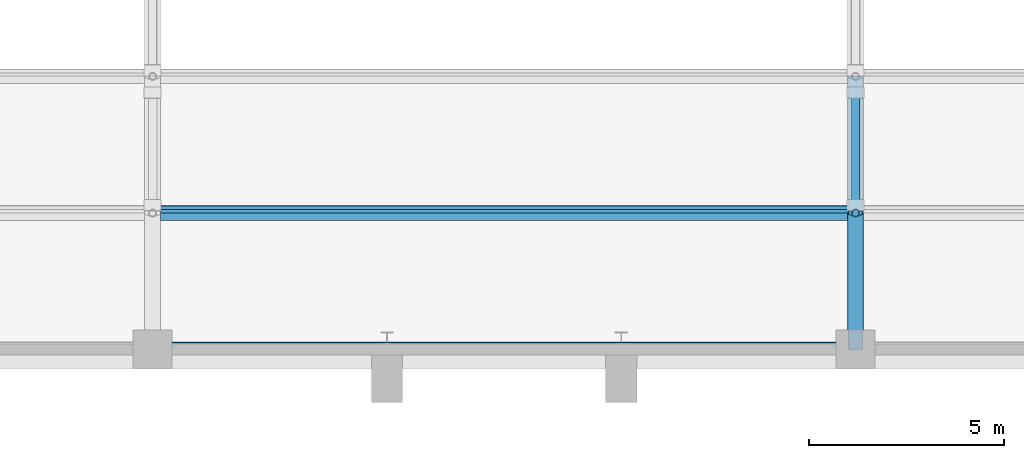
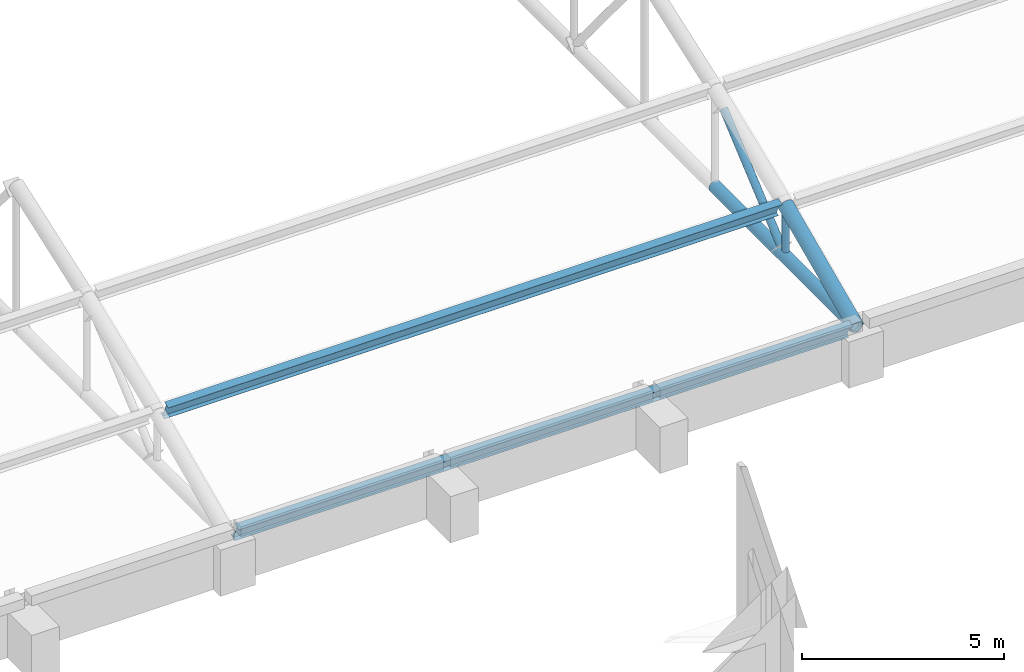
# One storey, part 33 of 196: 6 members.
"""IFC4 building model written with IfcOpenShell, lengths in metres."""

from ifc_helpers import new_model, si_unit, direction, frame, origin, origin_2d, place, context, subcontext, project, spatial, hollow_circle, i_section, extrude, material, material_profile, profile_set, type_object, element, save


model = new_model("IFC4")

# Units and contexts
model_context = context("Model", 3, precision=1e-05, world=origin(), true_north=direction((0.0, 1.0)))
body_context = subcontext(model_context, "Body", "Model", "MODEL_VIEW")
ifc_project = project(units=[si_unit("LENGTHUNIT", "METRE"), si_unit("AREAUNIT", "SQUARE_METRE"), si_unit("VOLUMEUNIT", "CUBIC_METRE"), si_unit("PLANEANGLEUNIT", "RADIAN"), si_unit("MASSUNIT", "GRAM", prefix="KILO")], contexts=[model_context])

# Site, building, storey
site_placement = place(None, origin())
site = spatial("IfcSite", under=ifc_project, at=site_placement, CompositionType="ELEMENT")
building_placement = place(site_placement, origin())
building = spatial("IfcBuilding", under=site, at=building_placement, Name="Okhra Congress Centre", CompositionType="ELEMENT")
storey_placement = place(building_placement, frame((0.0, 0.0, 12.0)))
storey = spatial("IfcBuildingStorey", under=building, at=storey_placement, Name="L02", CompositionType="ELEMENT", Elevation=12.0)

# Members
ifc_material_1 = material(Name="Steel S355J2H", Category="steel")
ifc_material_profile_1 = material_profile(ifc_material_1, hollow_circle(Radius=0.096923828125, WallThickness=0.012451171875, at=origin_2d()), Name="CHS 193.7x12.5")
ifc_profile_set_1 = profile_set([ifc_material_profile_1], Name="Steel S355J2H")
member_type_1 = type_object("IfcMemberType", Name="CHS 193.7x12.5", PredefinedType="POST", material=ifc_profile_set_1)
member_1_placement = place(storey_placement, frame((82.0, 135.5, 1.577880859375), z_axis=(0.0, 0.0, 1.0), x_axis=(1.0, 0.0, 0.0)))
element("IfcMember", 1, at=member_1_placement, inside=storey, type_object=member_type_1, Name="EH.MEM.L02.T4-VER-01", PredefinedType="POST", context=body_context, shape_type="SweptSolid", body=[
    extrude(hollow_circle(Radius=0.096923828125, WallThickness=0.012451171875, at=origin_2d()), origin(), (0.0, 0.0, 1.0), 1.168212890625),
])
ifc_material_profile_2 = material_profile(ifc_material_1, hollow_circle(Radius=0.109619140625, WallThickness=0.012451171875, at=origin_2d()), Name="CHS 219.1x12.5")
ifc_profile_set_2 = profile_set([ifc_material_profile_2], Name="Steel S355J2H")
member_type_2 = type_object("IfcMemberType", Name="CHS 219.1x12.5", PredefinedType="BRACE", material=ifc_profile_set_2)
member_2_placement = place(storey_placement, frame((82.0, 138.57421875, 4.01220703125), z_axis=(0.0, -0.76205947483, -0.647507032257), x_axis=(1.0, 0.0, 0.0)))
element("IfcMember", 2, at=member_2_placement, inside=storey, type_object=member_type_2, Name="EH.MEM.L02.T4-DIA-01", PredefinedType="BRACE", context=body_context, shape_type="SweptSolid", body=[
    extrude(hollow_circle(Radius=0.109619140625, WallThickness=0.012451171875, at=origin_2d()), origin(), (0.0, 0.0, 1.0), 3.759521484375),
])
ifc_material_profile_3 = material_profile(ifc_material_1, hollow_circle(Radius=0.177734375, WallThickness=0.02490234375, at=origin_2d()), Name="CHS 355.6x25.0")
ifc_profile_set_3 = profile_set([ifc_material_profile_3], Name="Steel S355J2H")
member_type_3 = type_object("IfcMemberType", Name="CHS 355.6x25.0", PredefinedType="CHORD", material=ifc_profile_set_3)
member_3_placement = place(storey_placement, frame((82.0, 132.0, 1.39990234375), z_axis=(0.0, 1.0, 0.0), x_axis=(-1.0, 0.0, 0.0)))
element("IfcMember", 3, at=member_3_placement, inside=storey, type_object=member_type_3, Name="EH.MEM.L02.T4-BOT-01", PredefinedType="CHORD", context=body_context, shape_type="SweptSolid", body=[
    extrude(hollow_circle(Radius=0.177734375, WallThickness=0.02490234375, at=origin_2d()), origin(), (0.0, 0.0, 1.0), 7.0),
])
ifc_material_profile_4 = material_profile(ifc_material_1, hollow_circle(Radius=0.203125, WallThickness=0.02490234375, at=origin_2d()), Name="CHS 406.4x25.0")
ifc_profile_set_4 = profile_set([ifc_material_profile_4], Name="Steel S355J2H")
member_type_4 = type_object("IfcMemberType", Name="CHS 406.4x25.0", PredefinedType="CHORD", material=ifc_profile_set_4)
member_4_placement = place(storey_placement, frame((82.0, 132.0, 1.39990234375), z_axis=(0.0, 0.912710800597, 0.408606160591), x_axis=(-1.0, 0.0, 0.0)))
element("IfcMember", 4, at=member_4_placement, inside=storey, type_object=member_type_4, Name="EH.MEM.L02.T4-TOP-01", PredefinedType="CHORD", context=body_context, shape_type="SweptSolid", body=[
    extrude(hollow_circle(Radius=0.203125, WallThickness=0.02490234375, at=origin_2d()), origin(), (0.0, 0.0, 1.0), 3.834716796875),
])
ifc_material_2 = material(Name="Steel S355J2", Category="steel")
ifc_material_profile_5 = material_profile(ifc_material_2, i_section(OverallWidth=0.199951171875, OverallDepth=0.5, WebThickness=0.01025390625, FlangeThickness=0.01611328125, at=origin_2d()), Name="IPE 500")
ifc_profile_set_5 = profile_set([ifc_material_profile_5], Name="Steel S355J2")
member_type_5 = type_object("IfcMemberType", Name="IPE 500", PredefinedType="PURLIN", material=ifc_profile_set_5)
for number, where, z_axis, x_axis, name in (
    (5, (64.203125, 132.0, 1.39990234375), (1.0, 0.0, 0.0), (0.0, 0.912721046606, 0.40858327313), "EH.MEM.L02.PU3-01"),
    (6, (64.203125, 135.5, 2.966796875), (1.0, 0.0, 0.0), (0.0, 0.920437204489, 0.390890461118), "EH.MEM.L02.PU3-02"),
):
    element("IfcMember", number, at=place(storey_placement, frame(where, z_axis=z_axis, x_axis=x_axis)), inside=storey, type_object=member_type_5, Name=name, PredefinedType="PURLIN", context=body_context, shape_type="SweptSolid", body=[
        extrude(i_section(OverallWidth=0.199951171875, OverallDepth=0.5, WebThickness=0.01025390625, FlangeThickness=0.01611328125, at=origin_2d()), origin(), (0.0, 0.0, 1.0), 17.59375),
    ])

save(model, "model.ifc")
